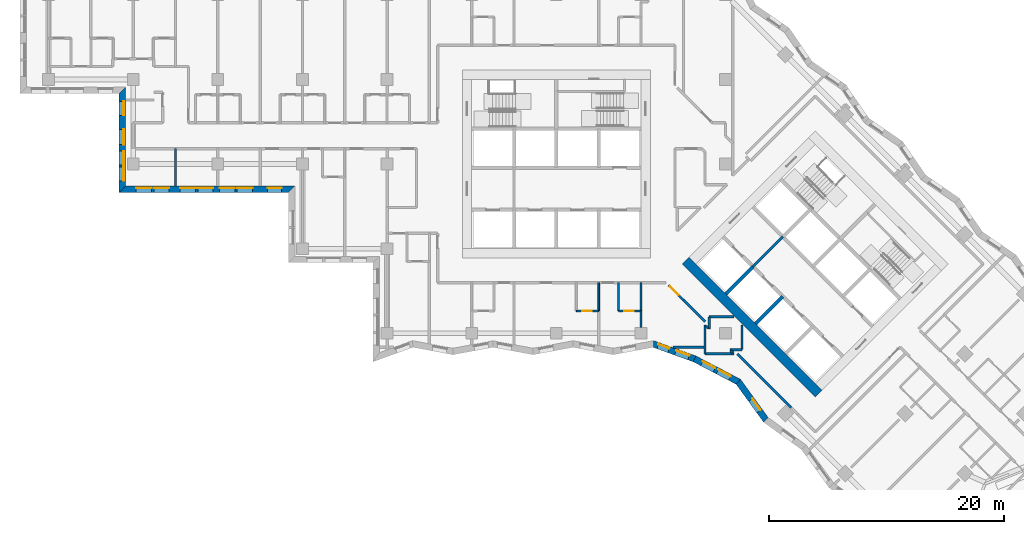
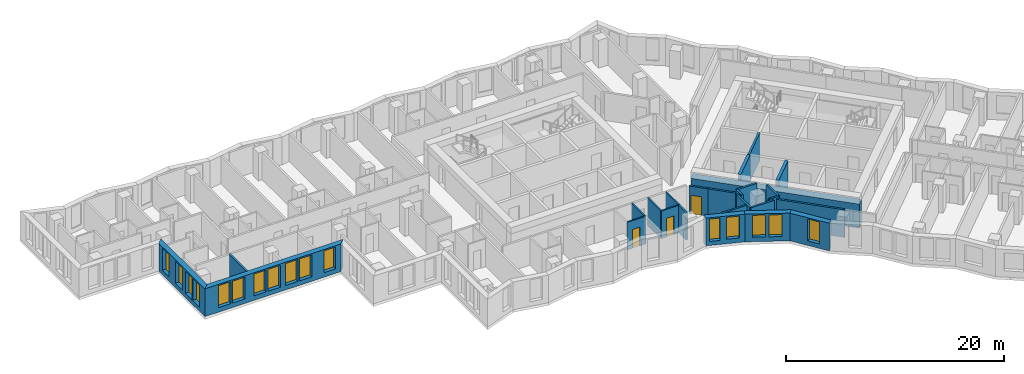
# One storey, part 3 of 14: 28 walls, 16 windows, 3 doors, 19 openings.
"""IFC4 building model written with IfcOpenShell, lengths in metres."""

from ifc_helpers import new_model, si_unit, direction, frame, frame_2d, origin, place, context, subcontext, project, spatial, polyline, rectangle, outline, extrude, material, layer, layer_set, type_object, element, fill, save


model = new_model("IFC4")

# Units and contexts
model_context = context("Model", 3, precision=1e-05, world=origin(), true_north=direction((0.0, 1.0)))
body_context = subcontext(model_context, "Body", "Model", "MODEL_VIEW")
ifc_project = project(units=[si_unit("LENGTHUNIT", "METRE"), si_unit("AREAUNIT", "SQUARE_METRE"), si_unit("VOLUMEUNIT", "CUBIC_METRE"), si_unit("PLANEANGLEUNIT", "RADIAN"), si_unit("MASSUNIT", "GRAM", prefix="KILO")], contexts=[model_context])

# Site, building, storey
site_placement = place(None, origin())
site = spatial("IfcSite", under=ifc_project, at=site_placement, CompositionType="ELEMENT")
building_placement = place(site_placement, origin())
building = spatial("IfcBuilding", under=site, at=building_placement, Name="Windrow Commons", CompositionType="ELEMENT")
storey_placement = place(building_placement, frame((0.0, 0.0, 118.6)))
storey = spatial("IfcBuildingStorey", under=building, at=storey_placement, Name="L32", CompositionType="ELEMENT", Elevation=118.6)

# Wall, openings, windows
ifc_material_1 = material(Name="Brick masonry, red clay brick", Category="masonry")
ifc_layer_1 = layer(ifc_material_1, 0.55)
ifc_layer_set_1 = layer_set([ifc_layer_1], Name="Brick facade wall 550")
wall_type_1 = type_object("IfcWallType", Name="Brick facade wall 550", PredefinedType="SOLIDWALL", material=ifc_layer_set_1)
wall_1_placement = place(storey_placement, frame((27.875, 63.875, 0.0), z_axis=(0.0, 0.0, 1.0), x_axis=(0.0, -1.0, 0.0)))
wall_1 = element("IfcWall", 1, at=wall_1_placement, inside=storey, type_object=wall_type_1, Name="Brick facade wall L32 39", PredefinedType="SOLIDWALL", context=body_context, shape_type="SweptSolid", body=[
    extrude(outline(polyline([(0.275, -0.275), (8.708, -0.275), (8.158, 0.275), (-0.275, 0.275), (0.275, -0.275)])), origin(), (0.0, 0.0, 1.0), 3.1),
])
opening_1_placement = place(wall_1_placement, frame((3.325, 0.0, 0.5)))
opening_1 = element("IfcOpeningElement", 2, at=opening_1_placement, cuts=wall_1, Name="Opening W1P", PredefinedType="OPENING", context=body_context, shape_type="SweptSolid", body=[
    extrude(rectangle(XDim=1.3, YDim=2.45, at=frame_2d((0.65, 1.225))), frame((0.0, 0.285, 0.0), z_axis=(0.0, -1.0, 0.0), x_axis=(1.0, 0.0, 0.0)), (0.0, 0.0, 1.0), 0.57),
])
opening_2_placement = place(wall_1_placement, frame((0.9375, 0.0, 0.5)))
opening_2 = element("IfcOpeningElement", 3, at=opening_2_placement, cuts=wall_1, Name="Opening W7D", PredefinedType="OPENING", context=body_context, shape_type="SweptSolid", body=[
    extrude(rectangle(XDim=1.2, YDim=2.45, at=frame_2d((0.6, 1.225))), frame((0.0, 0.285, 0.0), z_axis=(0.0, -1.0, 0.0), x_axis=(1.0, 0.0, 0.0)), (0.0, 0.0, 1.0), 0.57),
])
opening_3_placement = place(wall_1_placement, frame((6.5165, 0.0, 0.5)))
opening_3 = element("IfcOpeningElement", 4, at=opening_3_placement, cuts=wall_1, Name="Opening W7D", PredefinedType="OPENING", context=body_context, shape_type="SweptSolid", body=[
    extrude(rectangle(XDim=1.2, YDim=2.45, at=frame_2d((0.6, 1.225))), frame((0.0, 0.285, 0.0), z_axis=(0.0, -1.0, 0.0), x_axis=(1.0, 0.0, 0.0)), (0.0, 0.0, 1.0), 0.57),
])
opening_4_placement = place(wall_1_placement, frame((5.1707, 0.0, 0.5)))
opening_4 = element("IfcOpeningElement", 5, at=opening_4_placement, cuts=wall_1, Name="Opening W7D", PredefinedType="OPENING", context=body_context, shape_type="SweptSolid", body=[
    extrude(rectangle(XDim=1.2, YDim=2.45, at=frame_2d((0.6, 1.225))), frame((0.0, 0.285, 0.0), z_axis=(0.0, -1.0, 0.0), x_axis=(1.0, 0.0, 0.0)), (0.0, 0.0, 1.0), 0.57),
])
ifc_material_2 = material(Name="Clear float glass in anodised aluminium frame", Category="aluminium")
window_type_1 = type_object("IfcWindowType", Name="Window W1P pair 1300x2450", PartitioningType="SINGLE_PANEL", PredefinedType="WINDOW", material=ifc_material_2)
window_1_placement = place(opening_1_placement, origin())
window_1 = element("IfcWindow", 6, at=window_1_placement, inside=storey, type_object=window_type_1, Name="Window L32 39.1A", OverallHeight=2.45, OverallWidth=1.3, PartitioningType="SINGLE_PANEL", PredefinedType="WINDOW", context=body_context, shape_type="SweptSolid", body=[
    extrude(rectangle(XDim=1.3, YDim=2.45, at=frame_2d((0.65, 1.225))), frame((0.0, 0.155, 0.0), z_axis=(0.0, -1.0, 0.0), x_axis=(1.0, 0.0, 0.0)), (0.0, 0.0, 1.0), 0.06),
])
fill(opening_1, window_1)
ifc_material_3 = material(Name="Clear float glass in anodised aluminium frame", Category="aluminium")
window_type_2 = type_object("IfcWindowType", Name="Window W7 notch 1200x2450", PartitioningType="SINGLE_PANEL", PredefinedType="WINDOW", material=ifc_material_3)
window_2_placement = place(opening_2_placement, origin())
window_2 = element("IfcWindow", 7, at=window_2_placement, inside=storey, type_object=window_type_2, Name="Window L32 39.2", OverallHeight=2.45, OverallWidth=1.2, PartitioningType="SINGLE_PANEL", PredefinedType="WINDOW", context=body_context, shape_type="SweptSolid", body=[
    extrude(rectangle(XDim=1.2, YDim=2.45, at=frame_2d((0.6, 1.225))), frame((0.0, 0.155, 0.0), z_axis=(0.0, -1.0, 0.0), x_axis=(1.0, 0.0, 0.0)), (0.0, 0.0, 1.0), 0.06),
])
fill(opening_2, window_2)
window_3_placement = place(opening_3_placement, origin())
window_3 = element("IfcWindow", 8, at=window_3_placement, inside=storey, type_object=window_type_2, Name="Window L32 39.3", OverallHeight=2.45, OverallWidth=1.2, PartitioningType="SINGLE_PANEL", PredefinedType="WINDOW", context=body_context, shape_type="SweptSolid", body=[
    extrude(rectangle(XDim=1.2, YDim=2.45, at=frame_2d((0.6, 1.225))), frame((0.0, 0.155, 0.0), z_axis=(0.0, -1.0, 0.0), x_axis=(1.0, 0.0, 0.0)), (0.0, 0.0, 1.0), 0.06),
])
fill(opening_3, window_3)
window_4_placement = place(opening_4_placement, origin())
window_4 = element("IfcWindow", 9, at=window_4_placement, inside=storey, type_object=window_type_2, Name="Window L32 39.1BA", OverallHeight=2.45, OverallWidth=1.2, PartitioningType="SINGLE_PANEL", PredefinedType="WINDOW", context=body_context, shape_type="SweptSolid", body=[
    extrude(rectangle(XDim=1.2, YDim=2.45, at=frame_2d((0.6, 1.225))), frame((0.0, 0.155, 0.0), z_axis=(0.0, -1.0, 0.0), x_axis=(1.0, 0.0, 0.0)), (0.0, 0.0, 1.0), 0.06),
])
fill(opening_4, window_4)

wall_2_placement = place(storey_placement, frame((27.875, 55.442, 0.0), z_axis=(0.0, 0.0, 1.0), x_axis=(1.0, 0.0, 0.0)))
wall_2 = element("IfcWall", 10, at=wall_2_placement, inside=storey, type_object=wall_type_1, Name="Brick facade wall L32 40", PredefinedType="SOLIDWALL", context=body_context, shape_type="SweptSolid", body=[
    extrude(outline(polyline([(-0.275, -0.275), (14.125, -0.275), (14.675, 0.275), (0.275, 0.275), (-0.275, -0.275)])), origin(), (0.0, 0.0, 1.0), 3.1),
])
opening_5_placement = place(wall_2_placement, frame((1.175, 0.0, 0.5)))
opening_5 = element("IfcOpeningElement", 11, at=opening_5_placement, cuts=wall_2, Name="Opening W1P", PredefinedType="OPENING", context=body_context, shape_type="SweptSolid", body=[
    extrude(rectangle(XDim=1.3, YDim=2.45, at=frame_2d((0.65, 1.225))), frame((0.0, 0.285, 0.0), z_axis=(0.0, -1.0, 0.0), x_axis=(1.0, 0.0, 0.0)), (0.0, 0.0, 1.0), 0.57),
])
opening_6_placement = place(wall_2_placement, frame((2.675, 0.0, 0.5)))
opening_6 = element("IfcOpeningElement", 12, at=opening_6_placement, cuts=wall_2, Name="Opening W1P", PredefinedType="OPENING", context=body_context, shape_type="SweptSolid", body=[
    extrude(rectangle(XDim=1.3, YDim=2.45, at=frame_2d((0.65, 1.225))), frame((0.0, 0.285, 0.0), z_axis=(0.0, -1.0, 0.0), x_axis=(1.0, 0.0, 0.0)), (0.0, 0.0, 1.0), 0.57),
])
opening_7_placement = place(wall_2_placement, frame((4.925, 0.0, 0.5)))
opening_7 = element("IfcOpeningElement", 13, at=opening_7_placement, cuts=wall_2, Name="Opening W1P", PredefinedType="OPENING", context=body_context, shape_type="SweptSolid", body=[
    extrude(rectangle(XDim=1.3, YDim=2.45, at=frame_2d((0.65, 1.225))), frame((0.0, 0.285, 0.0), z_axis=(0.0, -1.0, 0.0), x_axis=(1.0, 0.0, 0.0)), (0.0, 0.0, 1.0), 0.57),
])
opening_8_placement = place(wall_2_placement, frame((6.425, 0.0, 0.5)))
opening_8 = element("IfcOpeningElement", 14, at=opening_8_placement, cuts=wall_2, Name="Opening W1P", PredefinedType="OPENING", context=body_context, shape_type="SweptSolid", body=[
    extrude(rectangle(XDim=1.3, YDim=2.45, at=frame_2d((0.65, 1.225))), frame((0.0, 0.285, 0.0), z_axis=(0.0, -1.0, 0.0), x_axis=(1.0, 0.0, 0.0)), (0.0, 0.0, 1.0), 0.57),
])
opening_9_placement = place(wall_2_placement, frame((8.275, 0.0, 0.5)))
opening_9 = element("IfcOpeningElement", 15, at=opening_9_placement, cuts=wall_2, Name="Opening W1P", PredefinedType="OPENING", context=body_context, shape_type="SweptSolid", body=[
    extrude(rectangle(XDim=1.3, YDim=2.45, at=frame_2d((0.65, 1.225))), frame((0.0, 0.285, 0.0), z_axis=(0.0, -1.0, 0.0), x_axis=(1.0, 0.0, 0.0)), (0.0, 0.0, 1.0), 0.57),
])
opening_10_placement = place(wall_2_placement, frame((9.775, 0.0, 0.5)))
opening_10 = element("IfcOpeningElement", 16, at=opening_10_placement, cuts=wall_2, Name="Opening W1P", PredefinedType="OPENING", context=body_context, shape_type="SweptSolid", body=[
    extrude(rectangle(XDim=1.3, YDim=2.45, at=frame_2d((0.65, 1.225))), frame((0.0, 0.285, 0.0), z_axis=(0.0, -1.0, 0.0), x_axis=(1.0, 0.0, 0.0)), (0.0, 0.0, 1.0), 0.57),
])
opening_11_placement = place(wall_2_placement, frame((12.3625, 0.0, 0.5)))
opening_11 = element("IfcOpeningElement", 17, at=opening_11_placement, cuts=wall_2, Name="Opening W7D", PredefinedType="OPENING", context=body_context, shape_type="SweptSolid", body=[
    extrude(rectangle(XDim=1.2, YDim=2.45, at=frame_2d((0.6, 1.225))), frame((0.0, 0.285, 0.0), z_axis=(0.0, -1.0, 0.0), x_axis=(1.0, 0.0, 0.0)), (0.0, 0.0, 1.0), 0.57),
])
window_5_placement = place(opening_5_placement, origin())
window_5 = element("IfcWindow", 18, at=window_5_placement, inside=storey, type_object=window_type_1, Name="Window L32 40.1A", OverallHeight=2.45, OverallWidth=1.3, PartitioningType="SINGLE_PANEL", PredefinedType="WINDOW", context=body_context, shape_type="SweptSolid", body=[
    extrude(rectangle(XDim=1.3, YDim=2.45, at=frame_2d((0.65, 1.225))), frame((0.0, 0.155, 0.0), z_axis=(0.0, -1.0, 0.0), x_axis=(1.0, 0.0, 0.0)), (0.0, 0.0, 1.0), 0.06),
])
fill(opening_5, window_5)
window_6_placement = place(opening_6_placement, origin())
window_6 = element("IfcWindow", 19, at=window_6_placement, inside=storey, type_object=window_type_1, Name="Window L32 40.1B", OverallHeight=2.45, OverallWidth=1.3, PartitioningType="SINGLE_PANEL", PredefinedType="WINDOW", context=body_context, shape_type="SweptSolid", body=[
    extrude(rectangle(XDim=1.3, YDim=2.45, at=frame_2d((0.65, 1.225))), frame((0.0, 0.155, 0.0), z_axis=(0.0, -1.0, 0.0), x_axis=(1.0, 0.0, 0.0)), (0.0, 0.0, 1.0), 0.06),
])
fill(opening_6, window_6)
window_7_placement = place(opening_7_placement, origin())
window_7 = element("IfcWindow", 20, at=window_7_placement, inside=storey, type_object=window_type_1, Name="Window L32 40.2A", OverallHeight=2.45, OverallWidth=1.3, PartitioningType="SINGLE_PANEL", PredefinedType="WINDOW", context=body_context, shape_type="SweptSolid", body=[
    extrude(rectangle(XDim=1.3, YDim=2.45, at=frame_2d((0.65, 1.225))), frame((0.0, 0.155, 0.0), z_axis=(0.0, -1.0, 0.0), x_axis=(1.0, 0.0, 0.0)), (0.0, 0.0, 1.0), 0.06),
])
fill(opening_7, window_7)
window_8_placement = place(opening_8_placement, origin())
window_8 = element("IfcWindow", 21, at=window_8_placement, inside=storey, type_object=window_type_1, Name="Window L32 40.2B", OverallHeight=2.45, OverallWidth=1.3, PartitioningType="SINGLE_PANEL", PredefinedType="WINDOW", context=body_context, shape_type="SweptSolid", body=[
    extrude(rectangle(XDim=1.3, YDim=2.45, at=frame_2d((0.65, 1.225))), frame((0.0, 0.155, 0.0), z_axis=(0.0, -1.0, 0.0), x_axis=(1.0, 0.0, 0.0)), (0.0, 0.0, 1.0), 0.06),
])
fill(opening_8, window_8)
window_9_placement = place(opening_9_placement, origin())
window_9 = element("IfcWindow", 22, at=window_9_placement, inside=storey, type_object=window_type_1, Name="Window L32 40.3A", OverallHeight=2.45, OverallWidth=1.3, PartitioningType="SINGLE_PANEL", PredefinedType="WINDOW", context=body_context, shape_type="SweptSolid", body=[
    extrude(rectangle(XDim=1.3, YDim=2.45, at=frame_2d((0.65, 1.225))), frame((0.0, 0.155, 0.0), z_axis=(0.0, -1.0, 0.0), x_axis=(1.0, 0.0, 0.0)), (0.0, 0.0, 1.0), 0.06),
])
fill(opening_9, window_9)
window_10_placement = place(opening_10_placement, origin())
window_10 = element("IfcWindow", 23, at=window_10_placement, inside=storey, type_object=window_type_1, Name="Window L32 40.3B", OverallHeight=2.45, OverallWidth=1.3, PartitioningType="SINGLE_PANEL", PredefinedType="WINDOW", context=body_context, shape_type="SweptSolid", body=[
    extrude(rectangle(XDim=1.3, YDim=2.45, at=frame_2d((0.65, 1.225))), frame((0.0, 0.155, 0.0), z_axis=(0.0, -1.0, 0.0), x_axis=(1.0, 0.0, 0.0)), (0.0, 0.0, 1.0), 0.06),
])
fill(opening_10, window_10)
window_11_placement = place(opening_11_placement, origin())
window_11 = element("IfcWindow", 24, at=window_11_placement, inside=storey, type_object=window_type_2, Name="Window L32 40.4", OverallHeight=2.45, OverallWidth=1.2, PartitioningType="SINGLE_PANEL", PredefinedType="WINDOW", context=body_context, shape_type="SweptSolid", body=[
    extrude(rectangle(XDim=1.2, YDim=2.45, at=frame_2d((0.6, 1.225))), frame((0.0, 0.155, 0.0), z_axis=(0.0, -1.0, 0.0), x_axis=(1.0, 0.0, 0.0)), (0.0, 0.0, 1.0), 0.06),
])
fill(opening_11, window_11)

wall_3_placement = place(storey_placement, frame((73.0665, 42.284, 0.0), z_axis=(0.0, 0.0, 1.0), x_axis=(0.9402976308, -0.3403532953, 0.0)))
wall_3 = element("IfcWall", 25, at=wall_3_placement, inside=storey, type_object=wall_type_1, Name="Brick facade wall L32 51", PredefinedType="SOLIDWALL", context=body_context, shape_type="SweptSolid", body=[
    extrude(outline(polyline([(0.0748, -0.275), (3.6973, -0.275), (3.7344, 0.275), (-0.0748, 0.275), (0.0748, -0.275)])), origin(), (0.0, 0.0, 1.0), 3.1),
])
opening_12_placement = place(wall_3_placement, frame((0.3955, 0.0, 0.45)))
opening_12 = element("IfcOpeningElement", 26, at=opening_12_placement, cuts=wall_3, Name="Opening W1S", PredefinedType="OPENING", context=body_context, shape_type="SweptSolid", body=[
    extrude(rectangle(XDim=1.0, YDim=2.5, at=frame_2d((0.5, 1.25))), frame((0.0, 0.285, 0.0), z_axis=(0.0, -1.0, 0.0), x_axis=(1.0, 0.0, 0.0)), (0.0, 0.0, 1.0), 0.57),
])
opening_13_placement = place(wall_3_placement, frame((2.0034, 0.0, 0.5)))
opening_13 = element("IfcOpeningElement", 27, at=opening_13_placement, cuts=wall_3, Name="Opening W7D", PredefinedType="OPENING", context=body_context, shape_type="SweptSolid", body=[
    extrude(rectangle(XDim=1.2, YDim=2.45, at=frame_2d((0.6, 1.225))), frame((0.0, 0.285, 0.0), z_axis=(0.0, -1.0, 0.0), x_axis=(1.0, 0.0, 0.0)), (0.0, 0.0, 1.0), 0.57),
])
ifc_material_4 = material(Name="Clear float glass in anodised aluminium frame", Category="aluminium")
window_type_3 = type_object("IfcWindowType", Name="Window W1S slit 1000x2500", PartitioningType="SINGLE_PANEL", PredefinedType="WINDOW", material=ifc_material_4)
window_12_placement = place(opening_12_placement, origin())
window_12 = element("IfcWindow", 28, at=window_12_placement, inside=storey, type_object=window_type_3, Name="Window L32 51.1A", OverallHeight=2.5, OverallWidth=1.0, PartitioningType="SINGLE_PANEL", PredefinedType="WINDOW", context=body_context, shape_type="SweptSolid", body=[
    extrude(rectangle(XDim=1.0, YDim=2.5, at=frame_2d((0.5, 1.25))), frame((0.0, 0.155, 0.0), z_axis=(0.0, -1.0, 0.0), x_axis=(1.0, 0.0, 0.0)), (0.0, 0.0, 1.0), 0.06),
])
fill(opening_12, window_12)
window_13_placement = place(opening_13_placement, origin())
window_13 = element("IfcWindow", 29, at=window_13_placement, inside=storey, type_object=window_type_2, Name="Window L32 51.1B", OverallHeight=2.45, OverallWidth=1.2, PartitioningType="SINGLE_PANEL", PredefinedType="WINDOW", context=body_context, shape_type="SweptSolid", body=[
    extrude(rectangle(XDim=1.2, YDim=2.45, at=frame_2d((0.6, 1.225))), frame((0.0, 0.155, 0.0), z_axis=(0.0, -1.0, 0.0), x_axis=(1.0, 0.0, 0.0)), (0.0, 0.0, 1.0), 0.06),
])
fill(opening_13, window_13)

wall_4_placement = place(storey_placement, frame((76.5605, 41.0193, 0.0), z_axis=(0.0, 0.0, 1.0), x_axis=(0.8859460506, -0.4637883089, 0.0)))
wall_4 = element("IfcWall", 30, at=wall_4_placement, inside=storey, type_object=wall_type_1, Name="Brick facade wall L32 52", PredefinedType="SOLIDWALL", context=body_context, shape_type="SweptSolid", body=[
    extrude(outline(polyline([(0.0186, -0.275), (4.1389, -0.275), (4.2683, 0.275), (-0.0186, 0.275), (0.0186, -0.275)])), origin(), (0.0, 0.0, 1.0), 3.1),
])
opening_14_placement = place(wall_4_placement, frame((0.7171, 0.0, 0.5)))
opening_14 = element("IfcOpeningElement", 31, at=opening_14_placement, cuts=wall_4, Name="Opening W7D", PredefinedType="OPENING", context=body_context, shape_type="SweptSolid", body=[
    extrude(rectangle(XDim=1.2, YDim=2.45, at=frame_2d((0.6, 1.225))), frame((0.0, 0.285, 0.0), z_axis=(0.0, -1.0, 0.0), x_axis=(1.0, 0.0, 0.0)), (0.0, 0.0, 1.0), 0.57),
])
opening_15_placement = place(wall_4_placement, frame((2.2189, 0.0, 0.5)))
opening_15 = element("IfcOpeningElement", 32, at=opening_15_placement, cuts=wall_4, Name="Opening W7D", PredefinedType="OPENING", context=body_context, shape_type="SweptSolid", body=[
    extrude(rectangle(XDim=1.2, YDim=2.45, at=frame_2d((0.6, 1.225))), frame((0.0, 0.285, 0.0), z_axis=(0.0, -1.0, 0.0), x_axis=(1.0, 0.0, 0.0)), (0.0, 0.0, 1.0), 0.57),
])
window_14_placement = place(opening_14_placement, origin())
window_14 = element("IfcWindow", 33, at=window_14_placement, inside=storey, type_object=window_type_2, Name="Window L32 52.1", OverallHeight=2.45, OverallWidth=1.2, PartitioningType="SINGLE_PANEL", PredefinedType="WINDOW", context=body_context, shape_type="SweptSolid", body=[
    extrude(rectangle(XDim=1.2, YDim=2.45, at=frame_2d((0.6, 1.225))), frame((0.0, 0.155, 0.0), z_axis=(0.0, -1.0, 0.0), x_axis=(1.0, 0.0, 0.0)), (0.0, 0.0, 1.0), 0.06),
])
fill(opening_14, window_14)
window_15_placement = place(opening_15_placement, origin())
window_15 = element("IfcWindow", 34, at=window_15_placement, inside=storey, type_object=window_type_2, Name="Window L32 52.2", OverallHeight=2.45, OverallWidth=1.2, PartitioningType="SINGLE_PANEL", PredefinedType="WINDOW", context=body_context, shape_type="SweptSolid", body=[
    extrude(rectangle(XDim=1.2, YDim=2.45, at=frame_2d((0.6, 1.225))), frame((0.0, 0.155, 0.0), z_axis=(0.0, -1.0, 0.0), x_axis=(1.0, 0.0, 0.0)), (0.0, 0.0, 1.0), 0.06),
])
fill(opening_15, window_15)

# Wall, opening, window
wall_5_placement = place(storey_placement, frame((80.2847, 39.0697, 0.0), z_axis=(0.0, 0.0, 1.0), x_axis=(0.5863448025, -0.8100615857, 0.0)))
wall_5 = element("IfcWall", 35, at=wall_5_placement, inside=storey, type_object=wall_type_1, Name="Brick facade wall L32 53", PredefinedType="SOLIDWALL", context=body_context, shape_type="SweptSolid", body=[
    extrude(outline(polyline([(0.0647, -0.275), (4.0473, -0.275), (3.9592, 0.275), (-0.0647, 0.275), (0.0647, -0.275)])), origin(), (0.0, 0.0, 1.0), 3.1),
])
opening_16_placement = place(wall_5_placement, frame((1.8608, 0.0, 0.5)))
opening_16 = element("IfcOpeningElement", 36, at=opening_16_placement, cuts=wall_5, Name="Opening W7D", PredefinedType="OPENING", context=body_context, shape_type="SweptSolid", body=[
    extrude(rectangle(XDim=1.2, YDim=2.45, at=frame_2d((0.6, 1.225))), frame((0.0, 0.285, 0.0), z_axis=(0.0, -1.0, 0.0), x_axis=(1.0, 0.0, 0.0)), (0.0, 0.0, 1.0), 0.57),
])
window_16_placement = place(opening_16_placement, origin())
window_16 = element("IfcWindow", 37, at=window_16_placement, inside=storey, type_object=window_type_2, Name="Window L32 53.1", OverallHeight=2.45, OverallWidth=1.2, PartitioningType="SINGLE_PANEL", PredefinedType="WINDOW", context=body_context, shape_type="SweptSolid", body=[
    extrude(rectangle(XDim=1.2, YDim=2.45, at=frame_2d((0.6, 1.225))), frame((0.0, 0.155, 0.0), z_axis=(0.0, -1.0, 0.0), x_axis=(1.0, 0.0, 0.0)), (0.0, 0.0, 1.0), 0.06),
])
fill(opening_16, window_16)

# Walls
ifc_material_5 = material(Name="Blockwork partition", Category="masonry")
ifc_layer_2 = layer(ifc_material_5, 0.2)
ifc_layer_set_2 = layer_set([ifc_layer_2], Name="Fire lobby partition 200")
wall_type_2 = type_object("IfcWallType", Name="Fire lobby partition 200", PredefinedType="PARTITIONING", material=ifc_layer_set_2)
wall_6_placement = place(storey_placement, frame((81.5335, 48.8776, 0.0), z_axis=(0.0, 0.0, 1.0), x_axis=(0.707092892, 0.7071206701, 0.0)))
element("IfcWall", 38, at=wall_6_placement, inside=storey, type_object=wall_type_2, Name="W-core-lobby-B-L32", PredefinedType="PARTITIONING", context=body_context, shape_type="SweptSolid", body=[
    extrude(rectangle(XDim=3.6, YDim=0.2, at=frame_2d((1.8, 0.0))), origin(), (0.0, 0.0, 1.0), 3.1),
])
ifc_material_6 = material(Name="Blockwork partition", Category="masonry")
ifc_layer_3 = layer(ifc_material_6, 0.2)
ifc_layer_set_3 = layer_set([ifc_layer_3], Name="IW-CORRIDOR-200")
wall_type_3 = type_object("IfcWallType", Name="IW-CORRIDOR-200", PredefinedType="PARTITIONING", material=ifc_layer_set_3)
wall_7_placement = place(storey_placement, frame((80.1973, 41.4533, 0.0), z_axis=(0.0, 0.0, 1.0), x_axis=(0.7071067812, -0.7071067812, 0.0)))
element("IfcWall", 39, at=wall_7_placement, inside=storey, type_object=wall_type_3, Name="W-L32-W026", PredefinedType="PARTITIONING", context=body_context, shape_type="SweptSolid", body=[
    extrude(rectangle(XDim=6.4884, YDim=0.2, at=frame_2d((3.2442, 0.0))), origin(), (0.0, 0.0, 1.0), 3.1),
])
wall_8_placement = place(storey_placement, frame((75.5982, 46.0402, 0.0), z_axis=(0.0, 0.0, 1.0), x_axis=(0.7074891043, -0.7067242512, 0.0)))
element("IfcWall", 40, at=wall_8_placement, inside=storey, type_object=wall_type_3, Name="W-L32-W079", PredefinedType="PARTITIONING", context=body_context, shape_type="SweptSolid", body=[
    extrude(rectangle(XDim=2.6149, YDim=0.2, at=frame_2d((1.3075, 0.0))), origin(), (0.0, 0.0, 1.0), 3.1),
])
for number, where, z_axis, x_axis, name in (
    (41, (77.802, 44.6, 0.0), (0.0, 0.0, 1.0), (1.0, 0.0, 0.0), "W-L32-W133"),
    (42, (80.6, 41.802, 0.0), (0.0, 0.0, 1.0), (0.0, 1.0, 0.0), "W-L32-W134"),
):
    element("IfcWall", number, at=place(storey_placement, frame(where, z_axis=z_axis, x_axis=x_axis)), inside=storey, type_object=wall_type_3, Name=name, PredefinedType="PARTITIONING", context=body_context, shape_type="SweptSolid", body=[
        extrude(rectangle(XDim=2.098, YDim=0.2, at=frame_2d((1.049, 0.0))), origin(), (0.0, 0.0, 1.0), 3.1),
    ])

# Wall, opening, door
wall_9_placement = place(storey_placement, frame((74.3393, 47.2973, 0.0), z_axis=(0.0, 0.0, 1.0), x_axis=(0.7071067812, -0.7071067812, 0.0)))
wall_9 = element("IfcWall", 43, at=wall_9_placement, inside=storey, type_object=wall_type_3, Name="W-L32-W156", PredefinedType="PARTITIONING", context=body_context, shape_type="SweptSolid", body=[
    extrude(rectangle(XDim=1.7791, YDim=0.2, at=frame_2d((0.8895, 0.0))), origin(), (0.0, 0.0, 1.0), 3.1),
])
opening_17_placement = place(wall_9_placement, frame((0.1857, 0.0, 0.0)))
opening_17 = element("IfcOpeningElement", 44, at=opening_17_placement, cuts=wall_9, Name="Opening D310F", PredefinedType="OPENING", context=body_context, shape_type="SweptSolid", body=[
    extrude(rectangle(XDim=1.0, YDim=2.1, at=frame_2d((0.5, 1.05))), frame((0.0, 0.11, 0.0), z_axis=(0.0, -1.0, 0.0), x_axis=(1.0, 0.0, 0.0)), (0.0, 0.0, 1.0), 0.22),
])
ifc_material_7 = material(Name="Timber door leaf", Category="wood")
door_type_1 = type_object("IfcDoorType", Name="DT-AMENITY-1000", OperationType="SINGLE_SWING_LEFT", PredefinedType="DOOR", material=ifc_material_7)
door_1_placement = place(opening_17_placement, origin())
door_1 = element("IfcDoor", 45, at=door_1_placement, inside=storey, type_object=door_type_1, Name="D-L32-D018", OperationType="SINGLE_SWING_LEFT", OverallHeight=2.1, OverallWidth=1.0, PredefinedType="DOOR", context=body_context, shape_type="SweptSolid", body=[
    extrude(rectangle(XDim=1.0, YDim=2.1, at=frame_2d((0.5, 1.05))), frame((0.0, 0.025, 0.0), z_axis=(0.0, -1.0, 0.0), x_axis=(1.0, 0.0, 0.0)), (0.0, 0.0, 1.0), 0.05),
])
fill(opening_17, door_1)

# Walls
for number, where, z_axis, x_axis, name in (
    (46, (77.8, 43.56, 0.0), (0.0, 0.0, 1.0), (0.0, 1.0, 0.0), "W-L32-W169"),
    (47, (79.56, 41.8, 0.0), (0.0, 0.0, 1.0), (1.0, 0.0, 0.0), "W-L32-W170"),
):
    element("IfcWall", number, at=place(storey_placement, frame(where, z_axis=z_axis, x_axis=x_axis)), inside=storey, type_object=wall_type_3, Name=name, PredefinedType="PARTITIONING", context=body_context, shape_type="SweptSolid", body=[
        extrude(rectangle(XDim=1.04, YDim=0.2, at=frame_2d((0.52, 0.0))), origin(), (0.0, 0.0, 1.0), 3.1),
    ])
for number, where, z_axis, x_axis, name in (
    (48, (79.6488, 41.7049, 0.0), (0.0, 0.0, 1.0), (0.7068844555, -0.707329037, 0.0), "W-L32-W207"),
    (49, (77.5458, 43.8078, 0.0), (0.0, 0.0, 1.0), (0.707329037, -0.7068844555, 0.0), "W-L32-W208"),
):
    element("IfcWall", number, at=place(storey_placement, frame(where, z_axis=z_axis, x_axis=x_axis)), inside=storey, type_object=wall_type_3, Name=name, PredefinedType="PARTITIONING", context=body_context, shape_type="SweptSolid", body=[
        extrude(rectangle(XDim=0.2249, YDim=0.2, at=frame_2d((0.1124, 0.0))), origin(), (0.0, 0.0, 1.0), 3.1),
    ])
ifc_material_8 = material(Name="Blockwork partition", Category="masonry")
ifc_layer_4 = layer(ifc_material_8, 0.15)
ifc_layer_set_4 = layer_set([ifc_layer_4], Name="IW-ENSUITE-150")
wall_type_4 = type_object("IfcWallType", Name="IW-ENSUITE-150", PredefinedType="PARTITIONING", material=ifc_layer_set_4)
for number, where, z_axis, x_axis, name in (
    (50, (68.4, 45.1, 0.0), (0.0, 0.0, 1.0), (0.0, 1.0, 0.0), "W-L32-W102"),
    (51, (70.1, 45.1, 0.0), (0.0, 0.0, 1.0), (0.0, 1.0, 0.0), "W-L32-W103"),
    (52, (72.0, 45.1, 0.0), (0.0, 0.0, 1.0), (0.0, 1.0, 0.0), "W-L32-W104"),
):
    element("IfcWall", number, at=place(storey_placement, frame(where, z_axis=z_axis, x_axis=x_axis)), inside=storey, type_object=wall_type_4, Name=name, PredefinedType="PARTITIONING", context=body_context, shape_type="SweptSolid", body=[
        extrude(rectangle(XDim=2.4, YDim=0.15, at=frame_2d((1.2, 0.0))), origin(), (0.0, 0.0, 1.0), 3.1),
    ])

# Wall, opening, door
wall_10_placement = place(storey_placement, frame((66.5, 45.1, 0.0), z_axis=(0.0, 0.0, 1.0), x_axis=(1.0, 0.0, 0.0)))
wall_10 = element("IfcWall", 53, at=wall_10_placement, inside=storey, type_object=wall_type_4, Name="W-L32-W140", PredefinedType="PARTITIONING", context=body_context, shape_type="SweptSolid", body=[
    extrude(rectangle(XDim=1.9, YDim=0.15, at=frame_2d((0.95, 0.0))), origin(), (0.0, 0.0, 1.0), 3.1),
])
opening_18_placement = place(wall_10_placement, frame((0.4931, 0.0, 0.0)))
opening_18 = element("IfcOpeningElement", 54, at=opening_18_placement, cuts=wall_10, Name="Opening D208N", PredefinedType="OPENING", context=body_context, shape_type="SweptSolid", body=[
    extrude(rectangle(XDim=0.8, YDim=2.1, at=frame_2d((0.4, 1.05))), frame((0.0, 0.085, 0.0), z_axis=(0.0, -1.0, 0.0), x_axis=(1.0, 0.0, 0.0)), (0.0, 0.0, 1.0), 0.17),
])
ifc_material_9 = material(Name="Timber door leaf", Category="wood")
door_type_2 = type_object("IfcDoorType", Name="DT-ENSUITE-800", OperationType="SINGLE_SWING_LEFT", PredefinedType="DOOR", material=ifc_material_9)
door_2_placement = place(opening_18_placement, origin())
door_2 = element("IfcDoor", 55, at=door_2_placement, inside=storey, type_object=door_type_2, Name="D-L32-D015", OperationType="SINGLE_SWING_RIGHT", OverallHeight=2.1, OverallWidth=0.8, PredefinedType="DOOR", context=body_context, shape_type="SweptSolid", body=[
    extrude(rectangle(XDim=0.8, YDim=2.1, at=frame_2d((0.4, 1.05))), frame((0.0, 0.025, 0.0), z_axis=(0.0, -1.0, 0.0), x_axis=(1.0, 0.0, 0.0)), (0.0, 0.0, 1.0), 0.05),
])
fill(opening_18, door_2)

wall_11_placement = place(storey_placement, frame((70.1, 45.1, 0.0), z_axis=(0.0, 0.0, 1.0), x_axis=(1.0, 0.0, 0.0)))
wall_11 = element("IfcWall", 56, at=wall_11_placement, inside=storey, type_object=wall_type_4, Name="W-L32-W141", PredefinedType="PARTITIONING", context=body_context, shape_type="SweptSolid", body=[
    extrude(rectangle(XDim=1.9, YDim=0.15, at=frame_2d((0.95, 0.0))), origin(), (0.0, 0.0, 1.0), 3.1),
])
opening_19_placement = place(wall_11_placement, frame((0.4931, 0.0, 0.0)))
opening_19 = element("IfcOpeningElement", 57, at=opening_19_placement, cuts=wall_11, Name="Opening D208N", PredefinedType="OPENING", context=body_context, shape_type="SweptSolid", body=[
    extrude(rectangle(XDim=0.8, YDim=2.1, at=frame_2d((0.4, 1.05))), frame((0.0, 0.085, 0.0), z_axis=(0.0, -1.0, 0.0), x_axis=(1.0, 0.0, 0.0)), (0.0, 0.0, 1.0), 0.17),
])
door_3_placement = place(opening_19_placement, origin())
door_3 = element("IfcDoor", 58, at=door_3_placement, inside=storey, type_object=door_type_2, Name="D-L32-D017", OperationType="SINGLE_SWING_RIGHT", OverallHeight=2.1, OverallWidth=0.8, PredefinedType="DOOR", context=body_context, shape_type="SweptSolid", body=[
    extrude(rectangle(XDim=0.8, YDim=2.1, at=frame_2d((0.4, 1.05))), frame((0.0, 0.025, 0.0), z_axis=(0.0, -1.0, 0.0), x_axis=(1.0, 0.0, 0.0)), (0.0, 0.0, 1.0), 0.05),
])
fill(opening_19, door_3)

# Walls
ifc_material_10 = material(Name="Blockwork partition", Category="masonry")
ifc_layer_5 = layer(ifc_material_10, 0.2)
ifc_layer_set_5 = layer_set([ifc_layer_5], Name="IW-PARTY-200")
wall_type_5 = type_object("IfcWallType", Name="IW-PARTY-200", PredefinedType="PARTITIONING", material=ifc_layer_set_5)
wall_12_placement = place(storey_placement, frame((32.4, 55.717, 0.0), z_axis=(0.0, 0.0, 1.0), x_axis=(0.0, 1.0, 0.0)))
element("IfcWall", 59, at=wall_12_placement, inside=storey, type_object=wall_type_5, Name="W-L32-W067", PredefinedType="PARTITIONING", context=body_context, shape_type="SweptSolid", body=[
    extrude(rectangle(XDim=3.183, YDim=0.2, at=frame_2d((1.5915, 0.0))), origin(), (0.0, 0.0, 1.0), 3.1),
])
wall_13_placement = place(storey_placement, frame((74.7091, 42.0, 0.0), z_axis=(0.0, 0.0, 1.0), x_axis=(1.0, 0.0, 0.0)))
element("IfcWall", 60, at=wall_13_placement, inside=storey, type_object=wall_type_5, Name="W-L32-W078", PredefinedType="PARTITIONING", context=body_context, shape_type="SweptSolid", body=[
    extrude(rectangle(XDim=2.7409, YDim=0.2, at=frame_2d((1.3704, 0.0))), origin(), (0.0, 0.0, 1.0), 3.1),
])
for number, where, z_axis, x_axis, name in (
    (61, (77.45, 41.452, 0.0), (0.0, 0.0, 1.0), (0.0, 1.0, 0.0), "W-L32-W083"),
    (62, (77.452, 41.45, 0.0), (0.0, 0.0, 1.0), (1.0, 0.0, 0.0), "W-L32-W084"),
):
    element("IfcWall", number, at=place(storey_placement, frame(where, z_axis=z_axis, x_axis=x_axis)), inside=storey, type_object=wall_type_5, Name=name, PredefinedType="PARTITIONING", context=body_context, shape_type="SweptSolid", body=[
        extrude(rectangle(XDim=2.458, YDim=0.2, at=frame_2d((1.229, 0.0))), origin(), (0.0, 0.0, 1.0), 3.1),
    ])
wall_14_placement = place(storey_placement, frame((72.0, 43.7, 0.0), z_axis=(0.0, 0.0, 1.0), x_axis=(0.0, 1.0, 0.0)))
element("IfcWall", 63, at=wall_14_placement, inside=storey, type_object=wall_type_5, Name="W-L32-W162", PredefinedType="PARTITIONING", context=body_context, shape_type="SweptSolid", body=[
    extrude(rectangle(XDim=1.4, YDim=0.2, at=frame_2d((0.7, 0.0))), origin(), (0.0, 0.0, 1.0), 3.1),
])
ifc_material_11 = material(Name="Concrete C50/60", Category="concrete")
ifc_layer_6 = layer(ifc_material_11, 0.8)
ifc_layer_set_6 = layer_set([ifc_layer_6], Name="RC CORE WALL 800 C50/60")
wall_type_6 = type_object("IfcWallType", Name="RC CORE WALL 800 C50/60", PredefinedType="SHEAR", material=ifc_layer_set_6)
wall_15_placement = place(storey_placement, frame((75.8059, 49.3726, -0.3), z_axis=(0.0, 0.0, 1.0), x_axis=(0.7071067812, -0.7071067812, 0.0)))
element("IfcWall", 64, at=wall_15_placement, inside=storey, type_object=wall_type_6, Name="Core B wall outer-S", PredefinedType="SHEAR", context=body_context, shape_type="SweptSolid", body=[
    extrude(rectangle(XDim=16.0, YDim=0.8, at=frame_2d((8.0, 0.0))), origin(), (0.0, 0.0, 1.0), 2.7),
])
ifc_material_12 = material(Name="Concrete C50/60", Category="concrete")
ifc_layer_7 = layer(ifc_material_12, 0.3)
ifc_layer_set_7 = layer_set([ifc_layer_7], Name="RC SHAFT WALL 300 C50/60")
wall_type_7 = type_object("IfcWallType", Name="RC SHAFT WALL 300 C50/60", PredefinedType="SOLIDWALL", material=ifc_layer_set_7)
wall_16_placement = place(storey_placement, frame((79.2, 46.5442, 0.0), z_axis=(0.0, 0.0, 1.0), x_axis=(0.7071219326, 0.7070916295, 0.0)))
element("IfcWall", 65, at=wall_16_placement, inside=storey, type_object=wall_type_7, Name="Core B wall shaft-S1", PredefinedType="SOLIDWALL", context=body_context, shape_type="SweptSolid", body=[
    extrude(rectangle(XDim=3.3, YDim=0.3, at=frame_2d((1.65, 0.0))), origin(), (0.0, 0.0, 1.0), 3.1),
])
wall_17_placement = place(storey_placement, frame((81.7456, 43.9986, 0.0), z_axis=(0.0, 0.0, 1.0), x_axis=(0.7071067812, 0.7071067812, 0.0)))
element("IfcWall", 66, at=wall_17_placement, inside=storey, type_object=wall_type_7, Name="Core B wall shaft-S2", PredefinedType="SOLIDWALL", context=body_context, shape_type="SweptSolid", body=[
    extrude(rectangle(XDim=3.2999, YDim=0.3, at=frame_2d((1.65, 0.0))), origin(), (0.0, 0.0, 1.0), 3.1),
])

save(model, "model.ifc")
